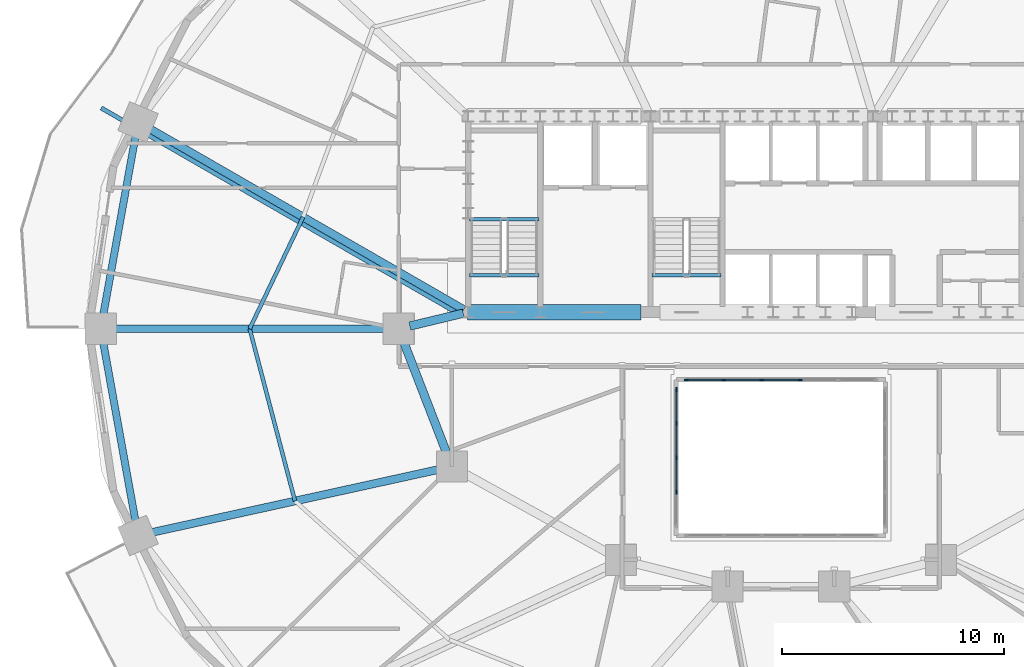
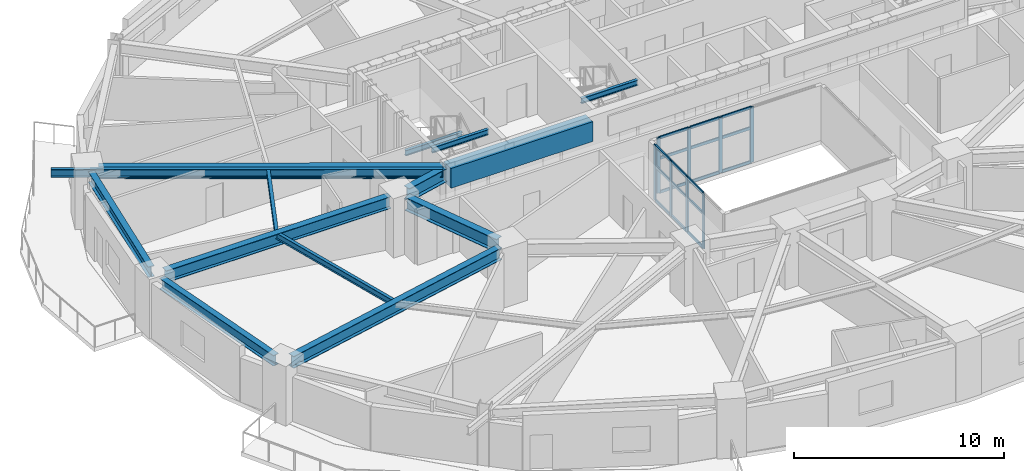
# One storey, part 4 of 17: 26 members, 14 beams, 2 elements without a shape of their own.
"""IFC4 building model written with IfcOpenShell, lengths in metres."""

from ifc_helpers import new_model, si_unit, direction, frame, origin, origin_2d, place, context, subcontext, project, spatial, rectangle, i_section, extrude, material, material_profile, profile_set, type_object, element, aggregate, save


model = new_model("IFC4")

# Units and contexts
model_context = context("Model", 3, precision=1e-05, world=origin(), true_north=direction((0.0, 1.0)))
body_context = subcontext(model_context, "Body", "Model", "MODEL_VIEW")
ifc_project = project(units=[si_unit("LENGTHUNIT", "METRE"), si_unit("AREAUNIT", "SQUARE_METRE"), si_unit("VOLUMEUNIT", "CUBIC_METRE"), si_unit("PLANEANGLEUNIT", "RADIAN"), si_unit("MASSUNIT", "GRAM", prefix="KILO")], contexts=[model_context])

# Site, building, storey
site_placement = place(None, origin())
site = spatial("IfcSite", under=ifc_project, at=site_placement, CompositionType="ELEMENT")
building_placement = place(site_placement, origin())
building = spatial("IfcBuilding", under=site, at=building_placement, Name="Haldorwick Loom Tower", CompositionType="ELEMENT")
storey_placement = place(building_placement, frame((0.0, 0.0, 58.5)))
storey = spatial("IfcBuildingStorey", under=building, at=storey_placement, Name="L15", CompositionType="ELEMENT", Elevation=58.5)

# Curtain wall, members
ifc_material_1 = material(Name="Thermally Broken Anodized Aluminium Curtain Wall Framing", Category="aluminium")
curtain_wall_type = type_object("IfcCurtainWallType", Name="ARC-CW-03", PredefinedType="NOTDEFINED", material=ifc_material_1)
curtain_wall_1_placement = place(storey_placement, origin())
curtain_wall_1 = element("IfcCurtainWall", 1, at=curtain_wall_1_placement, inside=storey, type_object=curtain_wall_type, Name="L15 Atrium Glazed Screen N", PredefinedType="NOTDEFINED")
ifc_material_profile_1 = material_profile(ifc_material_1, rectangle(XDim=0.06591796875, YDim=0.18505859375, at=origin_2d()), Name="ALU_MUL_66X185", Category="aluminium")
ifc_profile_set_1 = profile_set([ifc_material_profile_1], Name="Thermally Broken Anodized Aluminium Curtain Wall Framing")
member_type_1 = type_object("IfcMemberType", Name="ARC-CWM-03", PredefinedType="MULLION", material=ifc_profile_set_1)
member_1_placement = place(storey_placement, frame((31.73291015625, 23.699951171875, 0.0), z_axis=(0.0, 0.0, 1.0), x_axis=(0.0, 1.0, 0.0)))
member_1 = element("IfcMember", 2, at=member_1_placement, type_object=member_type_1, Name="CW-03 mullion 1", PredefinedType="MULLION", context=body_context, shape_type="SweptSolid", body=[
    extrude(rectangle(XDim=0.06591796875, YDim=0.18505859375, at=origin_2d()), origin(), (0.0, 0.0, 1.0), 3.2099609375),
])
member_2_placement = place(storey_placement, frame((33.419921875, 23.699951171875, 0.0), z_axis=(0.0, 0.0, 1.0), x_axis=(0.0, 1.0, 0.0)))
member_2 = element("IfcMember", 3, at=member_2_placement, type_object=member_type_1, Name="CW-03 mullion 2", PredefinedType="MULLION", context=body_context, shape_type="SweptSolid", body=[
    extrude(rectangle(XDim=0.06591796875, YDim=0.18505859375, at=origin_2d()), origin(), (0.0, 0.0, 1.0), 3.2099609375),
])
member_3_placement = place(storey_placement, frame((35.139892578125, 23.699951171875, 0.0), z_axis=(0.0, 0.0, 1.0), x_axis=(0.0, 1.0, 0.0)))
member_3 = element("IfcMember", 4, at=member_3_placement, type_object=member_type_1, Name="CW-03 mullion 3", PredefinedType="MULLION", context=body_context, shape_type="SweptSolid", body=[
    extrude(rectangle(XDim=0.06591796875, YDim=0.18505859375, at=origin_2d()), origin(), (0.0, 0.0, 1.0), 3.2099609375),
])
member_4_placement = place(storey_placement, frame((36.860107421875, 23.699951171875, 0.0), z_axis=(0.0, 0.0, 1.0), x_axis=(0.0, 1.0, 0.0)))
member_4 = element("IfcMember", 5, at=member_4_placement, type_object=member_type_1, Name="CW-03 mullion 4", PredefinedType="MULLION", context=body_context, shape_type="SweptSolid", body=[
    extrude(rectangle(XDim=0.06591796875, YDim=0.18505859375, at=origin_2d()), origin(), (0.0, 0.0, 1.0), 3.2099609375),
])

curtain_wall_2_placement = place(storey_placement, origin())
curtain_wall_2 = element("IfcCurtainWall", 6, at=curtain_wall_2_placement, inside=storey, type_object=curtain_wall_type, Name="L15 Atrium Glazed Screen W", PredefinedType="NOTDEFINED")
member_5_placement = place(storey_placement, frame((31.300048828125, 18.64990234375, 0.0), z_axis=(0.0, 0.0, 1.0), x_axis=(-1.0, 0.0, 0.0)))
member_5 = element("IfcMember", 7, at=member_5_placement, type_object=member_type_1, Name="CW-03 mullion 2", PredefinedType="MULLION", context=body_context, shape_type="SweptSolid", body=[
    extrude(rectangle(XDim=0.06591796875, YDim=0.18505859375, at=origin_2d()), origin(), (0.0, 0.0, 1.0), 3.2099609375),
])
member_6_placement = place(storey_placement, frame((31.300048828125, 20.199951171875, 0.0), z_axis=(0.0, 0.0, 1.0), x_axis=(-1.0, 0.0, 0.0)))
member_6 = element("IfcMember", 8, at=member_6_placement, type_object=member_type_1, Name="CW-03 mullion 3", PredefinedType="MULLION", context=body_context, shape_type="SweptSolid", body=[
    extrude(rectangle(XDim=0.06591796875, YDim=0.18505859375, at=origin_2d()), origin(), (0.0, 0.0, 1.0), 3.2099609375),
])
member_7_placement = place(storey_placement, frame((31.300048828125, 21.75, 0.0), z_axis=(0.0, 0.0, 1.0), x_axis=(-1.0, 0.0, 0.0)))
member_7 = element("IfcMember", 9, at=member_7_placement, type_object=member_type_1, Name="CW-03 mullion 4", PredefinedType="MULLION", context=body_context, shape_type="SweptSolid", body=[
    extrude(rectangle(XDim=0.06591796875, YDim=0.18505859375, at=origin_2d()), origin(), (0.0, 0.0, 1.0), 3.2099609375),
])
member_8_placement = place(storey_placement, frame((31.300048828125, 23.26708984375, 0.0), z_axis=(0.0, 0.0, 1.0), x_axis=(-1.0, 0.0, 0.0)))
member_8 = element("IfcMember", 10, at=member_8_placement, type_object=member_type_1, Name="CW-03 mullion 5", PredefinedType="MULLION", context=body_context, shape_type="SweptSolid", body=[
    extrude(rectangle(XDim=0.06591796875, YDim=0.18505859375, at=origin_2d()), origin(), (0.0, 0.0, 1.0), 3.2099609375),
])

# Member
ifc_material_profile_2 = material_profile(ifc_material_1, rectangle(XDim=0.06591796875, YDim=0.1650390625, at=origin_2d()), Name="ALU_TRN_66X165", Category="aluminium")
ifc_profile_set_2 = profile_set([ifc_material_profile_2], Name="Thermally Broken Anodized Aluminium Curtain Wall Framing")
member_type_2 = type_object("IfcMemberType", Name="ARC-CWT-03", PredefinedType="USERDEFINED", material=ifc_profile_set_2)
member_9_placement = place(storey_placement, frame((31.76611328125, 23.699951171875, 0.032958984375), z_axis=(1.0, 0.0, 0.0), x_axis=(0.0, 1.0, 0.0)))
member_9 = element("IfcMember", 11, at=member_9_placement, type_object=member_type_2, Name="CW-03 transom 1.1", ObjectType="TRANSOM", PredefinedType="USERDEFINED", context=body_context, shape_type="SweptSolid", body=[
    extrude(rectangle(XDim=0.06591796875, YDim=0.1650390625, at=origin_2d()), origin(), (0.0, 0.0, 1.0), 1.620849609375),
])

member_10_placement = place(storey_placement, frame((31.76611328125, 23.699951171875, 2.0), z_axis=(1.0, 0.0, 0.0), x_axis=(0.0, 1.0, 0.0)))
member_10 = element("IfcMember", 12, at=member_10_placement, type_object=member_type_2, Name="CW-03 transom 1.2", ObjectType="TRANSOM", PredefinedType="USERDEFINED", context=body_context, shape_type="SweptSolid", body=[
    extrude(rectangle(XDim=0.06591796875, YDim=0.1650390625, at=origin_2d()), origin(), (0.0, 0.0, 1.0), 1.620849609375),
])

member_11_placement = place(storey_placement, frame((31.76611328125, 23.699951171875, 3.177001953125), z_axis=(1.0, 0.0, 0.0), x_axis=(0.0, 1.0, 0.0)))
member_11 = element("IfcMember", 13, at=member_11_placement, type_object=member_type_2, Name="CW-03 transom 1.3", ObjectType="TRANSOM", PredefinedType="USERDEFINED", context=body_context, shape_type="SweptSolid", body=[
    extrude(rectangle(XDim=0.06591796875, YDim=0.1650390625, at=origin_2d()), origin(), (0.0, 0.0, 1.0), 1.620849609375),
])

member_12_placement = place(storey_placement, frame((33.452880859375, 23.699951171875, 0.032958984375), z_axis=(1.0, 0.0, 0.0), x_axis=(0.0, 1.0, 0.0)))
member_12 = element("IfcMember", 14, at=member_12_placement, type_object=member_type_2, Name="CW-03 transom 2.1", ObjectType="TRANSOM", PredefinedType="USERDEFINED", context=body_context, shape_type="SweptSolid", body=[
    extrude(rectangle(XDim=0.06591796875, YDim=0.1650390625, at=origin_2d()), origin(), (0.0, 0.0, 1.0), 1.654052734375),
])

member_13_placement = place(storey_placement, frame((33.452880859375, 23.699951171875, 2.0), z_axis=(1.0, 0.0, 0.0), x_axis=(0.0, 1.0, 0.0)))
member_13 = element("IfcMember", 15, at=member_13_placement, type_object=member_type_2, Name="CW-03 transom 2.2", ObjectType="TRANSOM", PredefinedType="USERDEFINED", context=body_context, shape_type="SweptSolid", body=[
    extrude(rectangle(XDim=0.06591796875, YDim=0.1650390625, at=origin_2d()), origin(), (0.0, 0.0, 1.0), 1.654052734375),
])

member_14_placement = place(storey_placement, frame((33.452880859375, 23.699951171875, 3.177001953125), z_axis=(1.0, 0.0, 0.0), x_axis=(0.0, 1.0, 0.0)))
member_14 = element("IfcMember", 16, at=member_14_placement, type_object=member_type_2, Name="CW-03 transom 2.3", ObjectType="TRANSOM", PredefinedType="USERDEFINED", context=body_context, shape_type="SweptSolid", body=[
    extrude(rectangle(XDim=0.06591796875, YDim=0.1650390625, at=origin_2d()), origin(), (0.0, 0.0, 1.0), 1.654052734375),
])

member_15_placement = place(storey_placement, frame((35.173095703125, 23.699951171875, 0.032958984375), z_axis=(1.0, 0.0, 0.0), x_axis=(0.0, 1.0, 0.0)))
member_15 = element("IfcMember", 17, at=member_15_placement, type_object=member_type_2, Name="CW-03 transom 3.1", ObjectType="TRANSOM", PredefinedType="USERDEFINED", context=body_context, shape_type="SweptSolid", body=[
    extrude(rectangle(XDim=0.06591796875, YDim=0.1650390625, at=origin_2d()), origin(), (0.0, 0.0, 1.0), 1.65380859375),
])

member_16_placement = place(storey_placement, frame((35.173095703125, 23.699951171875, 2.0), z_axis=(1.0, 0.0, 0.0), x_axis=(0.0, 1.0, 0.0)))
member_16 = element("IfcMember", 18, at=member_16_placement, type_object=member_type_2, Name="CW-03 transom 3.2", ObjectType="TRANSOM", PredefinedType="USERDEFINED", context=body_context, shape_type="SweptSolid", body=[
    extrude(rectangle(XDim=0.06591796875, YDim=0.1650390625, at=origin_2d()), origin(), (0.0, 0.0, 1.0), 1.65380859375),
])

member_17_placement = place(storey_placement, frame((35.173095703125, 23.699951171875, 3.177001953125), z_axis=(1.0, 0.0, 0.0), x_axis=(0.0, 1.0, 0.0)))
member_17 = element("IfcMember", 19, at=member_17_placement, type_object=member_type_2, Name="CW-03 transom 3.3", ObjectType="TRANSOM", PredefinedType="USERDEFINED", context=body_context, shape_type="SweptSolid", body=[
    extrude(rectangle(XDim=0.06591796875, YDim=0.1650390625, at=origin_2d()), origin(), (0.0, 0.0, 1.0), 1.65380859375),
])

aggregate(curtain_wall_1, [member_1, member_2, member_3, member_4, member_9, member_10, member_11, member_12, member_13, member_14, member_15, member_16, member_17])

member_18_placement = place(storey_placement, frame((31.300048828125, 18.68310546875, 0.032958984375), z_axis=(0.0, 1.0, 0.0), x_axis=(-1.0, 0.0, 0.0)))
member_18 = element("IfcMember", 20, at=member_18_placement, type_object=member_type_2, Name="CW-03 transom 2.1", ObjectType="TRANSOM", PredefinedType="USERDEFINED", context=body_context, shape_type="SweptSolid", body=[
    extrude(rectangle(XDim=0.06591796875, YDim=0.1650390625, at=origin_2d()), origin(), (0.0, 0.0, 1.0), 1.48388671875),
])

member_19_placement = place(storey_placement, frame((31.300048828125, 18.68310546875, 2.0), z_axis=(0.0, 1.0, 0.0), x_axis=(-1.0, 0.0, 0.0)))
member_19 = element("IfcMember", 21, at=member_19_placement, type_object=member_type_2, Name="CW-03 transom 2.2", ObjectType="TRANSOM", PredefinedType="USERDEFINED", context=body_context, shape_type="SweptSolid", body=[
    extrude(rectangle(XDim=0.06591796875, YDim=0.1650390625, at=origin_2d()), origin(), (0.0, 0.0, 1.0), 1.48388671875),
])

member_20_placement = place(storey_placement, frame((31.300048828125, 18.68310546875, 3.177001953125), z_axis=(0.0, 1.0, 0.0), x_axis=(-1.0, 0.0, 0.0)))
member_20 = element("IfcMember", 22, at=member_20_placement, type_object=member_type_2, Name="CW-03 transom 2.3", ObjectType="TRANSOM", PredefinedType="USERDEFINED", context=body_context, shape_type="SweptSolid", body=[
    extrude(rectangle(XDim=0.06591796875, YDim=0.1650390625, at=origin_2d()), origin(), (0.0, 0.0, 1.0), 1.48388671875),
])

member_21_placement = place(storey_placement, frame((31.300048828125, 20.23291015625, 0.032958984375), z_axis=(0.0, 1.0, 0.0), x_axis=(-1.0, 0.0, 0.0)))
member_21 = element("IfcMember", 23, at=member_21_placement, type_object=member_type_2, Name="CW-03 transom 3.1", ObjectType="TRANSOM", PredefinedType="USERDEFINED", context=body_context, shape_type="SweptSolid", body=[
    extrude(rectangle(XDim=0.06591796875, YDim=0.1650390625, at=origin_2d()), origin(), (0.0, 0.0, 1.0), 1.484130859375),
])

member_22_placement = place(storey_placement, frame((31.300048828125, 20.23291015625, 2.0), z_axis=(0.0, 1.0, 0.0), x_axis=(-1.0, 0.0, 0.0)))
member_22 = element("IfcMember", 24, at=member_22_placement, type_object=member_type_2, Name="CW-03 transom 3.2", ObjectType="TRANSOM", PredefinedType="USERDEFINED", context=body_context, shape_type="SweptSolid", body=[
    extrude(rectangle(XDim=0.06591796875, YDim=0.1650390625, at=origin_2d()), origin(), (0.0, 0.0, 1.0), 1.484130859375),
])

member_23_placement = place(storey_placement, frame((31.300048828125, 20.23291015625, 3.177001953125), z_axis=(0.0, 1.0, 0.0), x_axis=(-1.0, 0.0, 0.0)))
member_23 = element("IfcMember", 25, at=member_23_placement, type_object=member_type_2, Name="CW-03 transom 3.3", ObjectType="TRANSOM", PredefinedType="USERDEFINED", context=body_context, shape_type="SweptSolid", body=[
    extrude(rectangle(XDim=0.06591796875, YDim=0.1650390625, at=origin_2d()), origin(), (0.0, 0.0, 1.0), 1.484130859375),
])

member_24_placement = place(storey_placement, frame((31.300048828125, 21.782958984375, 0.032958984375), z_axis=(0.0, 1.0, 0.0), x_axis=(-1.0, 0.0, 0.0)))
member_24 = element("IfcMember", 26, at=member_24_placement, type_object=member_type_2, Name="CW-03 transom 4.1", ObjectType="TRANSOM", PredefinedType="USERDEFINED", context=body_context, shape_type="SweptSolid", body=[
    extrude(rectangle(XDim=0.06591796875, YDim=0.1650390625, at=origin_2d()), origin(), (0.0, 0.0, 1.0), 1.450927734375),
])

member_25_placement = place(storey_placement, frame((31.300048828125, 21.782958984375, 2.0), z_axis=(0.0, 1.0, 0.0), x_axis=(-1.0, 0.0, 0.0)))
member_25 = element("IfcMember", 27, at=member_25_placement, type_object=member_type_2, Name="CW-03 transom 4.2", ObjectType="TRANSOM", PredefinedType="USERDEFINED", context=body_context, shape_type="SweptSolid", body=[
    extrude(rectangle(XDim=0.06591796875, YDim=0.1650390625, at=origin_2d()), origin(), (0.0, 0.0, 1.0), 1.450927734375),
])

member_26_placement = place(storey_placement, frame((31.300048828125, 21.782958984375, 3.177001953125), z_axis=(0.0, 1.0, 0.0), x_axis=(-1.0, 0.0, 0.0)))
member_26 = element("IfcMember", 28, at=member_26_placement, type_object=member_type_2, Name="CW-03 transom 4.3", ObjectType="TRANSOM", PredefinedType="USERDEFINED", context=body_context, shape_type="SweptSolid", body=[
    extrude(rectangle(XDim=0.06591796875, YDim=0.1650390625, at=origin_2d()), origin(), (0.0, 0.0, 1.0), 1.450927734375),
])

aggregate(curtain_wall_2, [member_5, member_6, member_7, member_8, member_18, member_19, member_20, member_21, member_22, member_23, member_24, member_25, member_26])

# Beams
ifc_material_2 = material(Name="Steel CSA G40.21 350W", Category="steel")
ifc_material_profile_3 = material_profile(ifc_material_2, i_section(OverallWidth=0.193115234375, OverallDepth=0.466064453125, WebThickness=0.011474609375, FlangeThickness=0.01904296875, at=origin_2d()), Name="W460X97", Category="steel")
ifc_profile_set_3 = profile_set([ifc_material_profile_3], Name="Steel CSA G40.21 350W")
beam_type_1 = type_object("IfcBeamType", Name="STR-BM-BAL460", PredefinedType="BEAM", material=ifc_profile_set_3)
beam_1_placement = place(storey_placement, frame((21.59521484375, 26.61962890625, 2.97705078125), z_axis=(-0.866607024941, 0.49899124674, 0.0), x_axis=(-0.49899124674, -0.866607024941, 0.0)))
element("IfcBeam", 29, at=beam_1_placement, inside=storey, type_object=beam_type_1, Name="L15 Continuous Back-Spanned Balcony Beam 3", PredefinedType="BEAM", context=body_context, shape_type="SweptSolid", body=[
    extrude(i_section(OverallWidth=0.193115234375, OverallDepth=0.466064453125, WebThickness=0.011474609375, FlangeThickness=0.01904296875, at=origin_2d()), origin(), (0.0, 0.0, 1.0), 18.65771484375),
])
ifc_material_3 = material(Name="Concrete C60 (60 MPa)", Category="concrete")
ifc_material_profile_4 = material_profile(ifc_material_3, rectangle(XDim=0.699951171875, YDim=1.14990234375, at=origin_2d()), Name="RC700X1150", Category="concrete")
ifc_profile_set_4 = profile_set([ifc_material_profile_4], Name="Concrete C60 (60 MPa)")
beam_type_2 = type_object("IfcBeamType", Name="STR-BM-CB1150", PredefinedType="LINTEL", material=ifc_profile_set_4)
beam_2_placement = place(storey_placement, frame((21.89990234375, 26.75, 2.635009765625), z_axis=(1.0, 0.0, 0.0), x_axis=(0.0, 1.0, 0.0)))
element("IfcBeam", 30, at=beam_2_placement, inside=storey, type_object=beam_type_2, Name="L15 Core Coupling Beam CB-S1", PredefinedType="LINTEL", context=body_context, shape_type="SweptSolid", body=[
    extrude(rectangle(XDim=0.699951171875, YDim=1.14990234375, at=origin_2d()), origin(), (0.0, 0.0, 1.0), 7.800048828125),
])
ifc_material_profile_5 = material_profile(ifc_material_2, i_section(OverallWidth=0.172119140625, OverallDepth=0.35791015625, WebThickness=0.0078125, FlangeThickness=0.01318359375, at=origin_2d()), Name="W360X57", Category="steel")
ifc_profile_set_5 = profile_set([ifc_material_profile_5], Name="Steel CSA G40.21 350W")
beam_type_3 = type_object("IfcBeamType", Name="STR-BM-J360", PredefinedType="JOIST", material=ifc_profile_set_5)
beam_3_placement = place(storey_placement, frame((14.50634765625, 31.024658203125, 3.031005859375), z_axis=(-0.431630738849, -0.902050389546, 0.0), x_axis=(0.902050389546, -0.431630738849, 0.0)))
element("IfcBeam", 31, at=beam_3_placement, inside=storey, type_object=beam_type_3, Name="L15 Mid-Bay Secondary Joist 8", PredefinedType="JOIST", context=body_context, shape_type="SweptSolid", body=[
    extrude(i_section(OverallWidth=0.172119140625, OverallDepth=0.35791015625, WebThickness=0.0078125, FlangeThickness=0.01318359375, at=origin_2d()), origin(), (0.0, 0.0, 1.0), 5.5703125),
])
beam_4_placement = place(storey_placement, frame((12.10205078125, 26.0, 3.031005859375), z_axis=(0.2544888003, -0.967075721193, 0.0), x_axis=(0.967075721193, 0.2544888003, 0.0)))
element("IfcBeam", 32, at=beam_4_placement, inside=storey, type_object=beam_type_3, Name="L15 Mid-Bay Secondary Joist 9", PredefinedType="JOIST", context=body_context, shape_type="SweptSolid", body=[
    extrude(i_section(OverallWidth=0.172119140625, OverallDepth=0.35791015625, WebThickness=0.0078125, FlangeThickness=0.01318359375, at=origin_2d()), origin(), (0.0, 0.0, 1.0), 8.013427734375),
])
ifc_material_profile_6 = material_profile(ifc_material_2, i_section(OverallWidth=0.324951171875, OverallDepth=0.615966796875, WebThickness=0.013916015625, FlangeThickness=0.021484375, at=origin_2d()), Name="W610X174", Category="steel")
ifc_profile_set_6 = profile_set([ifc_material_profile_6], Name="Steel CSA G40.21 350W")
beam_type_4 = type_object("IfcBeamType", Name="STR-BM-SP610", PredefinedType="SPANDREL", material=ifc_profile_set_6)
for number, where, z_axis, x_axis, name in (
    (33, (6.990234375, 34.78759765625, 2.902099609375), (-0.177641139482, -0.984095333575, 0.0), (0.984095333575, -0.177641139482, 0.0), "L15 Perimeter Spandrel 8"),
    (34, (5.496337890625, 25.48828125, 2.902099609375), (0.177641139482, -0.984095333575, 0.0), (0.984095333575, 0.177641139482, 0.0), "L15 Perimeter Spandrel 9"),
):
    element("IfcBeam", number, at=place(storey_placement, frame(where, z_axis=z_axis, x_axis=x_axis)), inside=storey, type_object=beam_type_4, Name=name, PredefinedType="SPANDREL", context=body_context, shape_type="SweptSolid", body=[
        extrude(i_section(OverallWidth=0.324951171875, OverallDepth=0.615966796875, WebThickness=0.013916015625, FlangeThickness=0.021484375, at=origin_2d()), origin(), (0.0, 0.0, 1.0), 8.40966796875),
    ])
ifc_material_profile_7 = material_profile(ifc_material_2, i_section(OverallWidth=0.166015625, OverallDepth=0.31298828125, WebThickness=0.006591796875, FlangeThickness=0.01123046875, at=origin_2d()), Name="W310X45", Category="steel")
ifc_profile_set_7 = profile_set([ifc_material_profile_7], Name="Steel CSA G40.21 350W")
beam_type_5 = type_object("IfcBeamType", Name="STR-BM-STRM", PredefinedType="BEAM", material=ifc_profile_set_7)
for number, where, z_axis, x_axis, name in (
    (35, (21.989990234375, 28.39990234375, 3.053466796875), (1.0, 0.0, 0.0), (0.0, 1.0, 0.0), "L15 Stair ST-01 Landing Edge Trimmer"),
    (36, (21.989990234375, 30.919921875, 1.368408203125), (1.0, 0.0, 0.0), (0.0, 1.0, 0.0), "L15 Stair ST-01 Half-Landing Trimmer 1"),
    (37, (30.18994140625, 28.39990234375, 3.053466796875), (1.0, 0.0, 0.0), (0.0, 1.0, 0.0), "L15 Stair ST-03 Landing Edge Trimmer"),
):
    element("IfcBeam", number, at=place(storey_placement, frame(where, z_axis=z_axis, x_axis=x_axis)), inside=storey, type_object=beam_type_5, Name=name, PredefinedType="BEAM", context=body_context, shape_type="SweptSolid", body=[
        extrude(i_section(OverallWidth=0.166015625, OverallDepth=0.31298828125, WebThickness=0.006591796875, FlangeThickness=0.01123046875, at=origin_2d()), origin(), (0.0, 0.0, 1.0), 3.1201171875),
    ])
ifc_material_profile_8 = material_profile(ifc_material_2, i_section(OverallWidth=0.35498046875, OverallDepth=0.695068359375, WebThickness=0.015380859375, FlangeThickness=0.02490234375, at=origin_2d()), Name="W690X217", Category="steel")
ifc_profile_set_8 = profile_set([ifc_material_profile_8], Name="Steel CSA G40.21 350W")
beam_type_6 = type_object("IfcBeamType", Name="STR-BM-W690", PredefinedType="BEAM", material=ifc_profile_set_8)
beam_5_placement = place(storey_placement, frame((21.735107421875, 26.8623046875, 2.862548828125), z_axis=(-0.86660566838, 0.498993602696, 0.0), x_axis=(-0.498993602696, -0.86660566838, 0.0)))
element("IfcBeam", 38, at=beam_5_placement, inside=storey, type_object=beam_type_6, Name="L15 Radial Floor Girder 8", PredefinedType="BEAM", context=body_context, shape_type="SweptSolid", body=[
    extrude(i_section(OverallWidth=0.35498046875, OverallDepth=0.695068359375, WebThickness=0.015380859375, FlangeThickness=0.02490234375, at=origin_2d()), origin(), (0.0, 0.0, 1.0), 16.387939453125),
])
beam_6_placement = place(storey_placement, frame((18.280029296875, 26.0, 2.862548828125), z_axis=(-1.0, 0.0, 0.0), x_axis=(0.0, -1.0, 0.0)))
element("IfcBeam", 39, at=beam_6_placement, inside=storey, type_object=beam_type_6, Name="L15 Radial Floor Girder 9", PredefinedType="BEAM", context=body_context, shape_type="SweptSolid", body=[
    extrude(i_section(OverallWidth=0.35498046875, OverallDepth=0.695068359375, WebThickness=0.015380859375, FlangeThickness=0.02490234375, at=origin_2d()), origin(), (0.0, 0.0, 1.0), 12.35595703125),
])
beam_7_placement = place(storey_placement, frame((20.692138671875, 19.6884765625, 2.862548828125), z_axis=(-0.976740159434, -0.214426353203, 0.0), x_axis=(0.214426353203, -0.976740159434, 0.0)))
element("IfcBeam", 40, at=beam_7_placement, inside=storey, type_object=beam_type_6, Name="L15 Radial Floor Girder 10", PredefinedType="BEAM", context=body_context, shape_type="SweptSolid", body=[
    extrude(i_section(OverallWidth=0.35498046875, OverallDepth=0.695068359375, WebThickness=0.015380859375, FlangeThickness=0.02490234375, at=origin_2d()), origin(), (0.0, 0.0, 1.0), 13.41357421875),
])
ifc_material_profile_9 = material_profile(ifc_material_2, i_section(OverallWidth=0.381103515625, OverallDepth=0.77294921875, WebThickness=0.0166015625, FlangeThickness=0.027587890625, at=origin_2d()), Name="W760X257", Category="steel")
ifc_profile_set_9 = profile_set([ifc_material_profile_9], Name="Steel CSA G40.21 350W")
beam_type_7 = type_object("IfcBeamType", Name="STR-BM-W760", PredefinedType="BEAM", material=ifc_profile_set_9)
beam_8_placement = place(storey_placement, frame((21.01220703125, 20.284912109375, 2.823486328125), z_axis=(-0.360964792353, 0.93257944363, 0.0), x_axis=(-0.93257944363, -0.360964792353, 0.0)))
element("IfcBeam", 41, at=beam_8_placement, inside=storey, type_object=beam_type_7, Name="L15 Inner Ring Girder 8", PredefinedType="BEAM", context=body_context, shape_type="SweptSolid", body=[
    extrude(i_section(OverallWidth=0.381103515625, OverallDepth=0.77294921875, WebThickness=0.0166015625, FlangeThickness=0.027587890625, at=origin_2d()), origin(), (0.0, 0.0, 1.0), 5.6083984375),
])
beam_9_placement = place(storey_placement, frame((19.3056640625, 26.12109375, 2.823486328125), z_axis=(0.97247055837, 0.233025777764, 0.0), x_axis=(-0.233025777764, 0.97247055837, 0.0)))
element("IfcBeam", 42, at=beam_9_placement, inside=storey, type_object=beam_type_7, Name="L15 Inner Ring Girder 9", PredefinedType="BEAM", context=body_context, shape_type="SweptSolid", body=[
    extrude(i_section(OverallWidth=0.381103515625, OverallDepth=0.77294921875, WebThickness=0.0166015625, FlangeThickness=0.027587890625, at=origin_2d()), origin(), (0.0, 0.0, 1.0), 2.4736328125),
])

save(model, "model.ifc")
